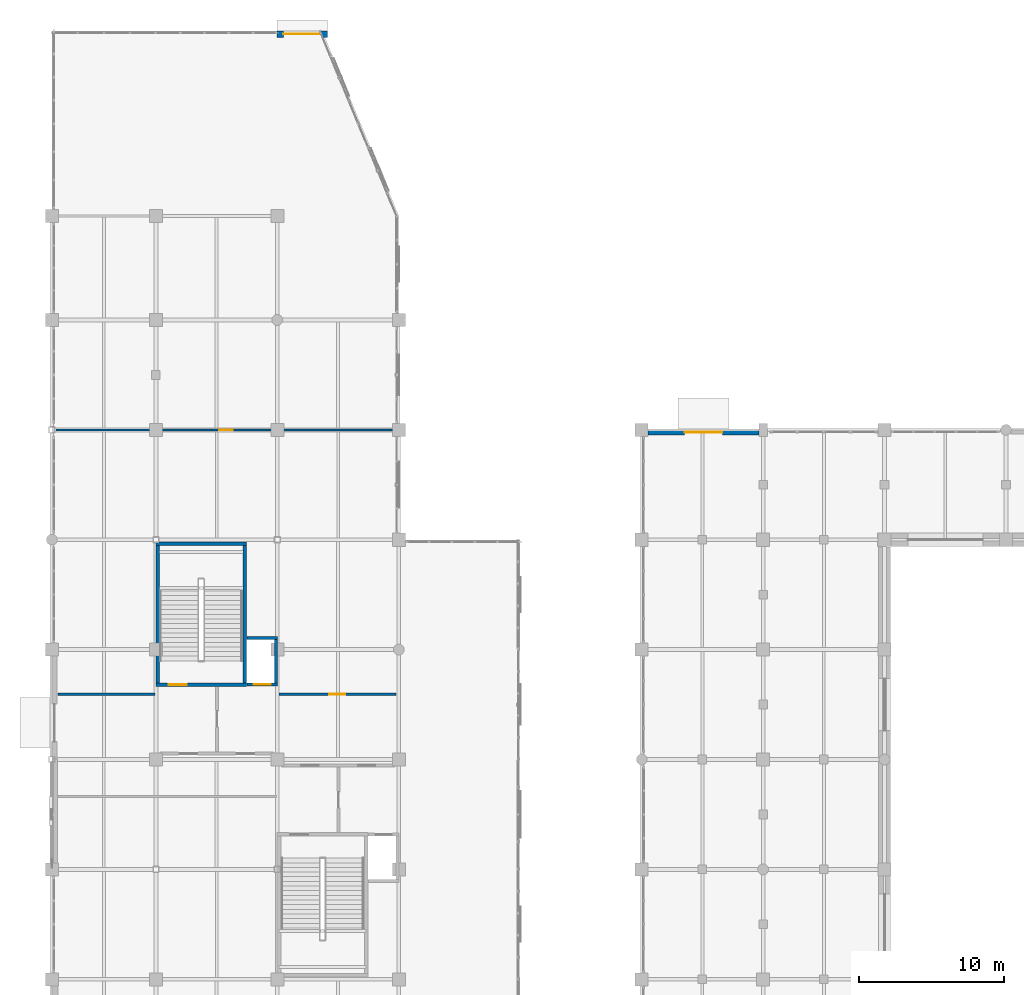
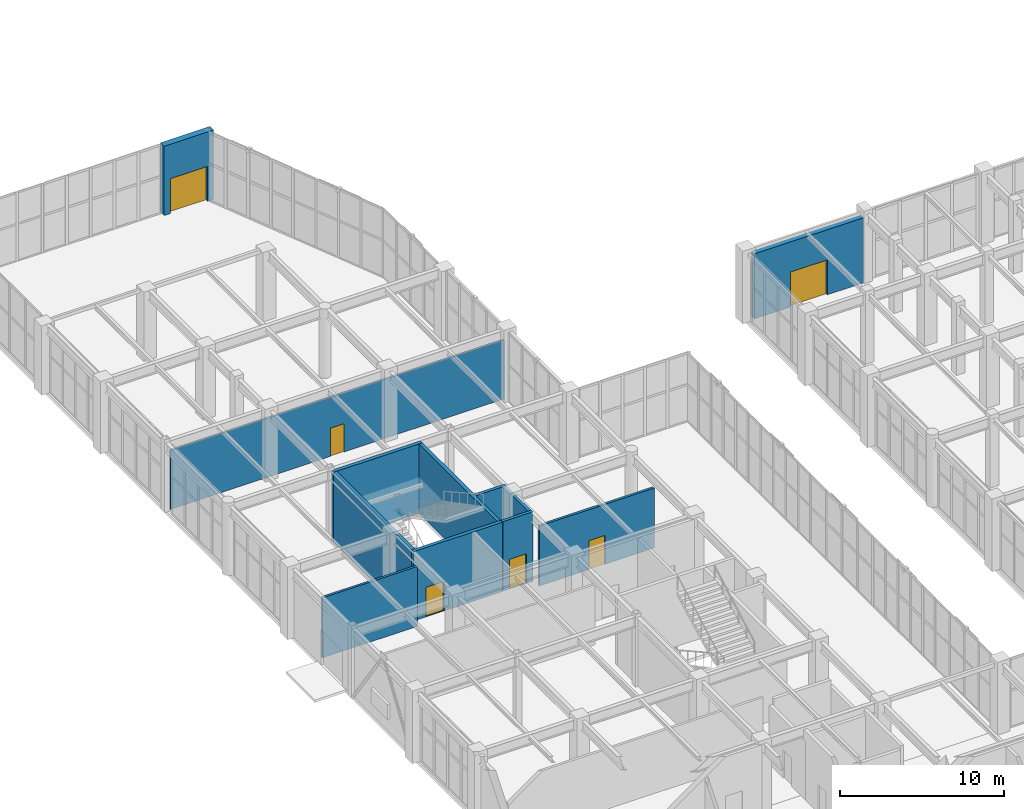
# One storey, part 123 of 139: 12 walls, 6 doors, 6 openings.
"""IFC4 building model written with IfcOpenShell, lengths in metres."""

from ifc_helpers import new_model, si_unit, direction, frame, frame_2d, origin, place, context, subcontext, project, spatial, rectangle, extrude, material, layer, layer_set, type_object, element, fill, save


model = new_model("IFC4")

# Units and contexts
model_context = context("Model", 3, precision=1e-05, world=origin(), true_north=direction((0.0, 1.0)))
body_context = subcontext(model_context, "Body", "Model", "MODEL_VIEW")
ifc_project = project(units=[si_unit("LENGTHUNIT", "METRE"), si_unit("AREAUNIT", "SQUARE_METRE"), si_unit("VOLUMEUNIT", "CUBIC_METRE"), si_unit("PLANEANGLEUNIT", "RADIAN"), si_unit("MASSUNIT", "GRAM", prefix="KILO")], contexts=[model_context])

# Site, building, storey
site_placement = place(None, origin())
site = spatial("IfcSite", under=ifc_project, at=site_placement, CompositionType="ELEMENT")
building_placement = place(site_placement, origin())
building = spatial("IfcBuilding", under=site, at=building_placement, Name="Xicomal Pleat Aquarium", CompositionType="ELEMENT")
storey_placement = place(building_placement, origin())
storey = spatial("IfcBuildingStorey", under=building, at=storey_placement, Name="L01", CompositionType="ELEMENT", Elevation=0.0)

# Wall, opening, door
ifc_material_1 = material(Name="Concrete C40/50", Category="concrete")
ifc_layer_1 = layer(ifc_material_1, 0.219970703125)
ifc_layer_set_1 = layer_set([ifc_layer_1], Name="Concrete C40/50")
wall_type_1 = type_object("IfcWallType", Name="WAL-COR-220", PredefinedType="SHEAR", material=ifc_layer_set_1)
wall_1_placement = place(storey_placement, frame((16.5, 65.989990234375, 0.0), z_axis=(0.0, 0.0, 1.0), x_axis=(1.0, 0.0, 0.0)))
wall_1 = element("IfcWall", 1, at=wall_1_placement, inside=storey, type_object=wall_type_1, Name="L01 LF-03 lift shaft wall CW-L01-C3-LS", PredefinedType="SHEAR", context=body_context, shape_type="SweptSolid", body=[
    extrude(rectangle(XDim=2.1201171875, YDim=0.219970703125, at=frame_2d((1.06005859375, 0.0))), origin(), (0.0, 0.0, 1.0), 5.159912109375),
])
opening_1_placement = place(wall_1_placement, frame((0.4599609375, 0.0, 0.0)))
opening_1 = element("IfcOpeningElement", 2, at=opening_1_placement, cuts=wall_1, Name="Opening LD-03-L01", PredefinedType="OPENING", context=body_context, shape_type="SweptSolid", body=[
    extrude(rectangle(XDim=1.199951171875, YDim=2.199951171875, at=frame_2d((0.60009765625, 1.10009765625))), frame((0.0, 0.119873046875, 0.0), z_axis=(0.0, -1.0, 0.0), x_axis=(1.0, 0.0, 0.0)), (0.0, 0.0, 1.0), 0.239990234375),
])
ifc_material_2 = material(Name="Brushed stainless steel 304", Category="steel")
door_type_1 = type_object("IfcDoorType", Name="DOR-LD-1200x2200", OperationType="DOUBLE_DOOR_SLIDING", PredefinedType="DOOR", material=ifc_material_2)
door_1_placement = place(opening_1_placement, origin())
door_1 = element("IfcDoor", 3, at=door_1_placement, inside=storey, type_object=door_type_1, Name="L01 LF-03 sliding lift landing door", OperationType="DOUBLE_DOOR_SLIDING", OverallHeight=2.199951171875, OverallWidth=1.199951171875, PredefinedType="DOOR", context=body_context, shape_type="SweptSolid", body=[
    extrude(rectangle(XDim=1.199951171875, YDim=2.199951171875, at=frame_2d((0.60009765625, 1.10009765625))), frame((0.0, 0.02490234375, 0.0), z_axis=(0.0, -1.0, 0.0), x_axis=(1.0, 0.0, 0.0)), (0.0, 0.0, 1.0), 0.050048828125),
])
fill(opening_1, door_1)

# Walls
wall_2_placement = place(storey_placement, frame((16.5, 69.2099609375, 0.0), z_axis=(0.0, 0.0, 1.0), x_axis=(1.0, 0.0, 0.0)))
element("IfcWall", 4, at=wall_2_placement, inside=storey, type_object=wall_type_1, Name="L01 LF-03 lift shaft wall CW-L01-C3-LN", PredefinedType="SHEAR", context=body_context, shape_type="SweptSolid", body=[
    extrude(rectangle(XDim=2.1201171875, YDim=0.219970703125, at=frame_2d((1.06005859375, 0.0))), origin(), (0.0, 0.0, 1.0), 5.159912109375),
])
wall_3_placement = place(storey_placement, frame((18.510009765625, 66.10009765625, 0.0), z_axis=(0.0, 0.0, 1.0), x_axis=(0.0, 1.0, 0.0)))
element("IfcWall", 5, at=wall_3_placement, inside=storey, type_object=wall_type_1, Name="L01 LF-03 lift shaft wall CW-L01-C3-LE", PredefinedType="SHEAR", context=body_context, shape_type="SweptSolid", body=[
    extrude(rectangle(XDim=3.0, YDim=0.219970703125, at=frame_2d((1.5, 0.0))), origin(), (0.0, 0.0, 1.0), 5.159912109375),
])

# Wall, opening, door
ifc_material_3 = material(Name="Concrete C40/50", Category="concrete")
ifc_layer_2 = layer(ifc_material_3, 0.25)
ifc_layer_set_2 = layer_set([ifc_layer_2], Name="Concrete C40/50")
wall_type_2 = type_object("IfcWallType", Name="WAL-COR-250", PredefinedType="SHEAR", material=ifc_layer_set_2)
wall_4_placement = place(storey_placement, frame((10.18994140625, 65.97509765625, 0.0), z_axis=(0.0, 0.0, 1.0), x_axis=(1.0, 0.0, 0.0)))
wall_4 = element("IfcWall", 6, at=wall_4_placement, inside=storey, type_object=wall_type_2, Name="L01 CORE-3 stair shear wall CW-L01-C3-SS", PredefinedType="SHEAR", context=body_context, shape_type="SweptSolid", body=[
    extrude(rectangle(XDim=6.280029296875, YDim=0.25, at=frame_2d((3.14013671875, 0.0))), origin(), (0.0, 0.0, 1.0), 5.159912109375),
])
opening_2_placement = place(wall_4_placement, frame((0.89990234375, 0.0, 0.0)))
opening_2 = element("IfcOpeningElement", 7, at=opening_2_placement, cuts=wall_4, Name="Opening SD-03-L01", PredefinedType="OPENING", context=body_context, shape_type="SweptSolid", body=[
    extrude(rectangle(XDim=1.25, YDim=2.199951171875, at=frame_2d((0.625, 1.10009765625))), frame((0.0, 0.135009765625, 0.0), z_axis=(0.0, -1.0, 0.0), x_axis=(1.0, 0.0, 0.0)), (0.0, 0.0, 1.0), 0.27001953125),
])
ifc_material_4 = material(Name="Powder-coated steel fire door", Category="steel")
door_type_2 = type_object("IfcDoorType", Name="DOR-ST-1250x2200", OperationType="NOTDEFINED", PredefinedType="DOOR", material=ifc_material_4)
door_2_placement = place(opening_2_placement, origin())
door_2 = element("IfcDoor", 8, at=door_2_placement, inside=storey, type_object=door_type_2, Name="L01 ST-03 protected stair door", OperationType="SINGLE_SWING_RIGHT", OverallHeight=2.199951171875, OverallWidth=1.25, PredefinedType="DOOR", context=body_context, shape_type="SweptSolid", body=[
    extrude(rectangle(XDim=1.25, YDim=2.199951171875, at=frame_2d((0.625, 1.10009765625))), frame((0.0, 0.02490234375, 0.0), z_axis=(0.0, -1.0, 0.0), x_axis=(1.0, 0.0, 0.0)), (0.0, 0.0, 1.0), 0.050048828125),
])
fill(opening_2, door_2)

# Walls
wall_5_placement = place(storey_placement, frame((10.18994140625, 75.72509765625, 0.0), z_axis=(0.0, 0.0, 1.0), x_axis=(1.0, 0.0, 0.0)))
element("IfcWall", 9, at=wall_5_placement, inside=storey, type_object=wall_type_2, Name="L01 CORE-3 stair shear wall CW-L01-C3-SN", PredefinedType="SHEAR", context=body_context, shape_type="SweptSolid", body=[
    extrude(rectangle(XDim=6.280029296875, YDim=0.25, at=frame_2d((3.14013671875, 0.0))), origin(), (0.0, 0.0, 1.0), 5.159912109375),
])
for number, where, z_axis, x_axis, name in (
    (10, (10.31494140625, 66.10009765625, 0.0), (0.0, 0.0, 1.0), (0.0, 1.0, 0.0), "L01 CORE-3 stair shear wall CW-L01-C3-SW"),
    (11, (16.344970703125, 66.10009765625, 0.0), (0.0, 0.0, 1.0), (0.0, 1.0, 0.0), "L01 CORE-3 stair shear wall CW-L01-C3-SE"),
):
    element("IfcWall", number, at=place(storey_placement, frame(where, z_axis=z_axis, x_axis=x_axis)), inside=storey, type_object=wall_type_2, Name=name, PredefinedType="SHEAR", context=body_context, shape_type="SweptSolid", body=[
        extrude(rectangle(XDim=9.5, YDim=0.25, at=frame_2d((4.75, 0.0))), origin(), (0.0, 0.0, 1.0), 5.159912109375),
    ])

# Wall, opening, door
ifc_material_5 = material(Name="Volcanic basalt recinto masonry and concrete C40/50", Category="masonry")
ifc_layer_3 = layer(ifc_material_5, 0.445068359375)
ifc_layer_set_3 = layer_set([ifc_layer_3], Name="Volcanic basalt recinto masonry and concrete C40/50")
wall_type_3 = type_object("IfcWallType", Name="WAL-EXT-BAS-445", PredefinedType="SOLIDWALL", material=ifc_layer_set_3)
wall_6_placement = place(storey_placement, frame((18.580078125, 110.97802734375, 0.0), z_axis=(0.0, 0.0, 1.0), x_axis=(1.0, 0.0, 0.0)))
wall_6 = element("IfcWall", 12, at=wall_6_placement, inside=storey, type_object=wall_type_3, Name="L01 exterior basalt-precast wall EW-L01-038", PredefinedType="SOLIDWALL", context=body_context, shape_type="SweptSolid", body=[
    extrude(rectangle(XDim=3.47998046875, YDim=0.445068359375, at=frame_2d((1.739990234375, 0.0))), origin(), (0.0, 0.0, 1.0), 5.159912109375),
])
opening_3_placement = place(wall_6_placement, frame((0.43994140625, 0.0, 0.0)))
opening_3 = element("IfcOpeningElement", 13, at=opening_3_placement, cuts=wall_6, Name="Opening EX-16", PredefinedType="OPENING", context=body_context, shape_type="SweptSolid", body=[
    extrude(rectangle(XDim=2.60009765625, YDim=2.60009765625, at=frame_2d((1.300048828125, 1.300048828125))), frame((0.0, 0.232421875, 0.0), z_axis=(0.0, -1.0, 0.0), x_axis=(1.0, 0.0, 0.0)), (0.0, 0.0, 1.0), 0.465087890625),
])
ifc_material_6 = material(Name="Bronze anodized aluminium and laminated safety glass", Category="aluminium")
door_type_3 = type_object("IfcDoorType", Name="DOR-EX-2600x2600", OperationType="DOUBLE_DOOR_SINGLE_SWING", PredefinedType="DOOR", material=ifc_material_6)
door_3_placement = place(opening_3_placement, origin())
door_3 = element("IfcDoor", 14, at=door_3_placement, inside=storey, type_object=door_type_3, Name="Ground floor pedestrian final exit door EX-16", OperationType="DOUBLE_DOOR_SINGLE_SWING", OverallHeight=2.60009765625, OverallWidth=2.60009765625, PredefinedType="DOOR", context=body_context, shape_type="SweptSolid", body=[
    extrude(rectangle(XDim=2.60009765625, YDim=2.60009765625, at=frame_2d((1.300048828125, 1.300048828125))), frame((0.0, 0.02490234375, 0.0), z_axis=(0.0, -1.0, 0.0), x_axis=(1.0, 0.0, 0.0)), (0.0, 0.0, 1.0), 0.050048828125),
])
fill(opening_3, door_3)

ifc_material_7 = material(Name="Precast concrete C40/50", Category="concrete")
ifc_layer_4 = layer(ifc_material_7, 0.340087890625)
ifc_layer_set_4 = layer_set([ifc_layer_4], Name="Precast concrete C40/50")
wall_type_4 = type_object("IfcWallType", Name="WAL-EXT-PRC-340", PredefinedType="SOLIDWALL", material=ifc_layer_set_4)
wall_7_placement = place(storey_placement, frame((44.235107421875, 83.429931640625, 0.0), z_axis=(0.0, 0.0, 1.0), x_axis=(1.0, 0.0, 0.0)))
wall_7 = element("IfcWall", 15, at=wall_7_placement, inside=storey, type_object=wall_type_4, Name="L01 exterior basalt-precast wall EW-L01-057", PredefinedType="SOLIDWALL", context=body_context, shape_type="SweptSolid", body=[
    extrude(rectangle(XDim=7.679931640625, YDim=0.340087890625, at=frame_2d((3.83984375, 0.0))), origin(), (0.0, 0.0, 1.0), 4.844970703125),
])
opening_4_placement = place(wall_7_placement, frame((2.5400390625, 0.0, 0.0)))
opening_4 = element("IfcOpeningElement", 16, at=opening_4_placement, cuts=wall_7, Name="Opening EX-19", PredefinedType="OPENING", context=body_context, shape_type="SweptSolid", body=[
    extrude(rectangle(XDim=2.60009765625, YDim=2.60009765625, at=frame_2d((1.300048828125, 1.300048828125))), frame((0.0, 0.179931640625, 0.0), z_axis=(0.0, -1.0, 0.0), x_axis=(1.0, 0.0, 0.0)), (0.0, 0.0, 1.0), 0.360107421875),
])
door_4_placement = place(opening_4_placement, origin())
door_4 = element("IfcDoor", 17, at=door_4_placement, inside=storey, type_object=door_type_3, Name="Ground floor pedestrian final exit door EX-19", OperationType="DOUBLE_DOOR_SINGLE_SWING", OverallHeight=2.60009765625, OverallWidth=2.60009765625, PredefinedType="DOOR", context=body_context, shape_type="SweptSolid", body=[
    extrude(rectangle(XDim=2.60009765625, YDim=2.60009765625, at=frame_2d((1.300048828125, 1.300048828125))), frame((0.0, 0.02490234375, 0.0), z_axis=(0.0, -1.0, 0.0), x_axis=(1.0, 0.0, 0.0)), (0.0, 0.0, 1.0), 0.050048828125),
])
fill(opening_4, door_4)

ifc_material_8 = material(Name="Acoustic double-stud drywall partition", Category="gypsum")
ifc_layer_5 = layer(ifc_material_8, 0.14599609375)
ifc_layer_set_5 = layer_set([ifc_layer_5], Name="Acoustic double-stud drywall partition")
wall_type_5 = type_object("IfcWallType", Name="WAL-PRT-146", PredefinedType="PARTITIONING", material=ifc_layer_set_5)
wall_8_placement = place(storey_placement, frame((3.300048828125, 83.60009765625, 0.0), z_axis=(0.0, 0.0, 1.0), x_axis=(1.0, 0.0, 0.0)))
wall_8 = element("IfcWall", 18, at=wall_8_placement, inside=storey, type_object=wall_type_5, Name="L01 interior partition PT-L01-028", PredefinedType="PARTITIONING", context=body_context, shape_type="SweptSolid", body=[
    extrude(rectangle(XDim=23.5, YDim=0.14599609375, at=frame_2d((11.75, 0.0))), origin(), (0.0, 0.0, 1.0), 4.385009765625),
])
opening_5_placement = place(wall_8_placement, frame((11.27490234375, 0.0, 0.0)))
opening_5 = element("IfcOpeningElement", 19, at=opening_5_placement, cuts=wall_8, Name="Opening DR-L01-013", PredefinedType="OPENING", context=body_context, shape_type="SweptSolid", body=[
    extrude(rectangle(XDim=0.949951171875, YDim=2.10009765625, at=frame_2d((0.47509765625, 1.050048828125))), frame((0.0, 0.0830078125, 0.0), z_axis=(0.0, -1.0, 0.0), x_axis=(1.0, 0.0, 0.0)), (0.0, 0.0, 1.0), 0.166015625),
])
ifc_material_9 = material(Name="Solid-core hardwood and anodized aluminium frame", Category="wood")
door_type_4 = type_object("IfcDoorType", Name="DOR-WC-0950x2100", OperationType="NOTDEFINED", PredefinedType="DOOR", material=ifc_material_9)
door_5_placement = place(opening_5_placement, origin())
door_5 = element("IfcDoor", 20, at=door_5_placement, inside=storey, type_object=door_type_4, Name="L01 Montane Cloud-Forest Exhibit Gallery door DR-L01-013", OperationType="SINGLE_SWING_LEFT", OverallHeight=2.10009765625, OverallWidth=0.949951171875, PredefinedType="DOOR", context=body_context, shape_type="SweptSolid", body=[
    extrude(rectangle(XDim=0.949951171875, YDim=2.10009765625, at=frame_2d((0.47509765625, 1.050048828125))), frame((0.0, 0.02490234375, 0.0), z_axis=(0.0, -1.0, 0.0), x_axis=(1.0, 0.0, 0.0)), (0.0, 0.0, 1.0), 0.050048828125),
])
fill(opening_5, door_5)

# Wall
ifc_material_10 = material(Name="Water-resistant cement-board wet-lab partition", Category="gypsum")
ifc_layer_6 = layer(ifc_material_10, 0.1650390625)
ifc_layer_set_6 = layer_set([ifc_layer_6], Name="Water-resistant cement-board wet-lab partition")
wall_type_6 = type_object("IfcWallType", Name="WAL-PRT-165", PredefinedType="PARTITIONING", material=ifc_layer_set_6)
wall_9_placement = place(storey_placement, frame((3.425048828125, 65.320068359375, 0.0), z_axis=(0.0, 0.0, 1.0), x_axis=(1.0, 0.0, 0.0)))
element("IfcWall", 21, at=wall_9_placement, inside=storey, type_object=wall_type_6, Name="L01 interior partition PT-L01-025", PredefinedType="PARTITIONING", context=body_context, shape_type="SweptSolid", body=[
    extrude(rectangle(XDim=6.71484375, YDim=0.1650390625, at=frame_2d((3.357421875, 0.0))), origin(), (0.0, 0.0, 1.0), 4.4619140625),
])

# Wall, opening, door
ifc_material_11 = material(Name="Water-resistant cement-board wet-lab partition", Category="gypsum")
ifc_layer_7 = layer(ifc_material_11, 0.172119140625)
ifc_layer_set_7 = layer_set([ifc_layer_7], Name="Water-resistant cement-board wet-lab partition")
wall_type_7 = type_object("IfcWallType", Name="WAL-PRT-172", PredefinedType="PARTITIONING", material=ifc_layer_set_7)
wall_10_placement = place(storey_placement, frame((18.7099609375, 65.320068359375, 0.0), z_axis=(0.0, 0.0, 1.0), x_axis=(1.0, 0.0, 0.0)))
wall_10 = element("IfcWall", 22, at=wall_10_placement, inside=storey, type_object=wall_type_7, Name="L01 interior partition PT-L01-024", PredefinedType="PARTITIONING", context=body_context, shape_type="SweptSolid", body=[
    extrude(rectangle(XDim=8.090087890625, YDim=0.172119140625, at=frame_2d((4.044921875, 0.0))), origin(), (0.0, 0.0, 1.0), 4.4619140625),
])
opening_6_placement = place(wall_10_placement, frame((3.4951171875, 0.0, 0.0)))
opening_6 = element("IfcOpeningElement", 23, at=opening_6_placement, cuts=wall_10, Name="Opening DR-L01-012", PredefinedType="OPENING", context=body_context, shape_type="SweptSolid", body=[
    extrude(rectangle(XDim=1.10009765625, YDim=2.14990234375, at=frame_2d((0.550048828125, 1.074951171875))), frame((0.0, 0.095947265625, 0.0), z_axis=(0.0, -1.0, 0.0), x_axis=(1.0, 0.0, 0.0)), (0.0, 0.0, 1.0), 0.192138671875),
])
ifc_material_12 = material(Name="Powder-coated steel fire door", Category="steel")
door_type_5 = type_object("IfcDoorType", Name="DOR-LAB-1100x2150", OperationType="NOTDEFINED", PredefinedType="DOOR", material=ifc_material_12)
door_6_placement = place(opening_6_placement, origin())
door_6 = element("IfcDoor", 24, at=door_6_placement, inside=storey, type_object=door_type_5, Name="L01 Lerma Salamander Exhibit Gallery door DR-L01-012", OperationType="SINGLE_SWING_RIGHT", OverallHeight=2.14990234375, OverallWidth=1.10009765625, PredefinedType="DOOR", context=body_context, shape_type="SweptSolid", body=[
    extrude(rectangle(XDim=1.10009765625, YDim=2.14990234375, at=frame_2d((0.550048828125, 1.074951171875))), frame((0.0, 0.02490234375, 0.0), z_axis=(0.0, -1.0, 0.0), x_axis=(1.0, 0.0, 0.0)), (0.0, 0.0, 1.0), 0.050048828125),
])
fill(opening_6, door_6)

save(model, "model.ifc")
